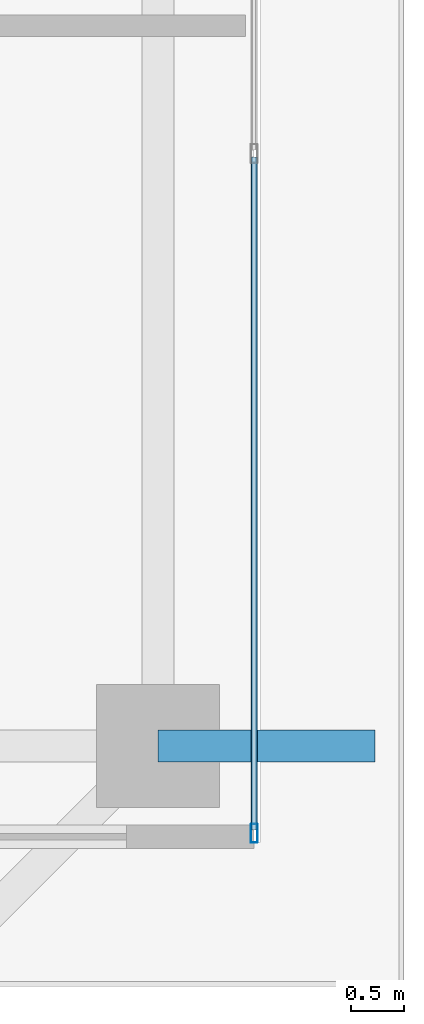
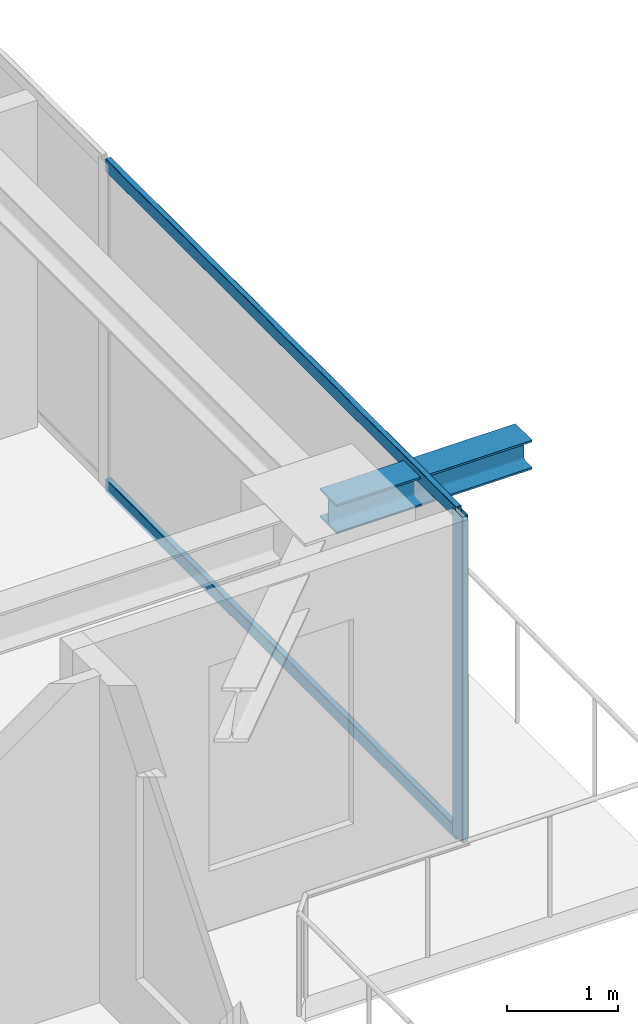
# One storey, part 13 of 35: 3 members, 1 beam, 1 element without a shape of its own.
"""IFC4 building model written with IfcOpenShell, lengths in metres."""

from ifc_helpers import new_model, si_unit, direction, frame, origin, origin_2d, place, context, subcontext, project, spatial, hollow_rectangle, i_section, extrude, source, transform, mapped, material, layer, layer_set, material_profile, profile_set, type_object, element, aggregate, save


model = new_model("IFC4")

# Units and contexts
model_context = context("Model", 3, precision=1e-05, world=origin(), true_north=direction((0.0, 1.0)))
body_context = subcontext(model_context, "Body", "Model", "MODEL_VIEW")
ifc_project = project(units=[si_unit("LENGTHUNIT", "METRE"), si_unit("AREAUNIT", "SQUARE_METRE"), si_unit("VOLUMEUNIT", "CUBIC_METRE"), si_unit("PLANEANGLEUNIT", "RADIAN"), si_unit("MASSUNIT", "GRAM", prefix="KILO")], contexts=[model_context])

# Site, building, storey
site_placement = place(None, origin())
site = spatial("IfcSite", under=ifc_project, at=site_placement, CompositionType="ELEMENT")
building_placement = place(site_placement, origin())
building = spatial("IfcBuilding", under=site, at=building_placement, Name="Serunith Strait Residences", CompositionType="ELEMENT")
storey_placement = place(building_placement, frame((0.0, 0.0, 214.300048828125)))
storey = spatial("IfcBuildingStorey", under=building, at=storey_placement, Name="L53", CompositionType="ELEMENT", Elevation=214.300048828125)

# Beam
ifc_material_1 = material(Name="Steel S355J2", Category="steel")
ifc_material_profile_1 = material_profile(ifc_material_1, i_section(OverallWidth=0.300048828125, OverallDepth=0.320068359375, WebThickness=0.011474609375, FlangeThickness=0.0205078125, FilletRadius=0.027099609375, at=origin_2d()), Name="HEB 320")
ifc_profile_set_1 = profile_set([ifc_material_profile_1], Name="Steel S355J2")
beam_type = type_object("IfcBeamType", Name="BM-HEB320", PredefinedType="BEAM", material=ifc_profile_set_1)
shared_shape_1 = source(origin(), body_context, "Body", "SweptSolid", [
    extrude(i_section(OverallWidth=0.300048828125, OverallDepth=0.320068359375, WebThickness=0.011474609375, FlangeThickness=0.0205078125, FilletRadius=0.027099609375, at=origin_2d()), origin(), (0.0, 0.0, 1.0), 2.030029296875),
])
beam_placement = place(storey_placement, frame((56.5, 10.050048828125, 3.39697265625), z_axis=(1.0, 0.0, 0.0), x_axis=(0.0, 1.0, 0.0)))
element("IfcBeam", 1, at=beam_placement, inside=storey, type_object=beam_type, Name="L54 Cantilevered Balcony Rib TC-E1", PredefinedType="BEAM", context=body_context, shape_type="MappedRepresentation", body=[
    mapped(shared_shape_1, transform((0.0, 0.0, 0.0), scale=1.0)),
])

# Curtain wall, members
ifc_material_2 = material(Name="Pale-Champagne Anodised Aluminium", Category="aluminium")
ifc_layer = layer(ifc_material_2, 0.199951171875, Name="Pale-Champagne Anodised Aluminium")
ifc_layer_set = layer_set([ifc_layer], Name="Pale-Champagne Anodised Aluminium")
curtain_wall_type = type_object("IfcCurtainWallType", Name="CW-SYS4", PredefinedType="NOTDEFINED", material=ifc_layer_set)
curtain_wall_placement = place(storey_placement, origin())
curtain_wall = element("IfcCurtainWall", 2, at=curtain_wall_placement, inside=storey, type_object=curtain_wall_type, Name="L53 E Unitised Fritted Curtain Wall", PredefinedType="NOTDEFINED")
ifc_material_profile_2 = material_profile(ifc_material_2, hollow_rectangle(XDim=0.06494140625, YDim=0.179931640625, WallThickness=0.00341796875, InnerFilletRadius=0.00537109375, OuterFilletRadius=0.0087890625, at=origin_2d()), Name="ALU 180x65x3.5")
ifc_profile_set_2 = profile_set([ifc_material_profile_2], Name="Pale-Champagne Anodised Aluminium")
member_type_1 = type_object("IfcMemberType", Name="CW-SYS4-MULL", PredefinedType="MULLION", material=ifc_profile_set_2)
shared_shape_2 = source(origin(), body_context, "Body", "SweptSolid", [
    extrude(hollow_rectangle(XDim=0.06494140625, YDim=0.179931640625, WallThickness=0.00341796875, InnerFilletRadius=0.00537109375, OuterFilletRadius=0.0087890625, at=origin_2d()), origin(), (0.0, 0.0, 1.0), 3.574951171875),
])
member_1_placement = place(storey_placement, frame((57.39990234375, 9.232421875, 0.0), z_axis=(0.0, 0.0, 1.0), x_axis=(-1.0, 0.0, 0.0)))
member_1 = element("IfcMember", 3, at=member_1_placement, type_object=member_type_1, Name="CW-4 mullion 1", PredefinedType="MULLION", context=body_context, shape_type="MappedRepresentation", body=[
    mapped(shared_shape_2, transform((0.0, 0.0, 0.0), scale=1.0)),
])
ifc_material_profile_3 = material_profile(ifc_material_2, hollow_rectangle(XDim=0.06005859375, YDim=0.139892578125, WallThickness=0.00341796875, InnerFilletRadius=0.00537109375, OuterFilletRadius=0.0087890625, at=origin_2d()), Name="ALU 140x60x3.5")
ifc_profile_set_3 = profile_set([ifc_material_profile_3], Name="Pale-Champagne Anodised Aluminium")
member_type_2 = type_object("IfcMemberType", Name="CW-SYS4-TRAN", PredefinedType="USERDEFINED", material=ifc_profile_set_3)
shared_shape_3 = source(origin(), body_context, "Body", "SweptSolid", [
    extrude(hollow_rectangle(XDim=0.06005859375, YDim=0.139892578125, WallThickness=0.00341796875, InnerFilletRadius=0.00537109375, OuterFilletRadius=0.0087890625, at=origin_2d()), origin(), (0.0, 0.0, 1.0), 6.302490234375),
])
member_2_placement = place(storey_placement, frame((57.39990234375, 9.264892578125, 0.030029296875), z_axis=(0.0, 1.0, 0.0), x_axis=(-1.0, 0.0, 0.0)))
member_2 = element("IfcMember", 4, at=member_2_placement, type_object=member_type_2, Name="CW-4 transom 1.1", ObjectType="TRANSOM", PredefinedType="USERDEFINED", context=body_context, shape_type="MappedRepresentation", body=[
    mapped(shared_shape_3, transform((0.0, 0.0, 0.0), scale=1.0)),
])
member_3_placement = place(storey_placement, frame((57.39990234375, 9.264892578125, 3.544921875), z_axis=(0.0, 1.0, 0.0), x_axis=(-1.0, 0.0, 0.0)))
member_3 = element("IfcMember", 5, at=member_3_placement, type_object=member_type_2, Name="CW-4 transom 1.2", ObjectType="TRANSOM", PredefinedType="USERDEFINED", context=body_context, shape_type="MappedRepresentation", body=[
    mapped(shared_shape_3, transform((0.0, 0.0, 0.0), scale=1.0)),
])
aggregate(curtain_wall, [member_1, member_2, member_3])

save(model, "model.ifc")
